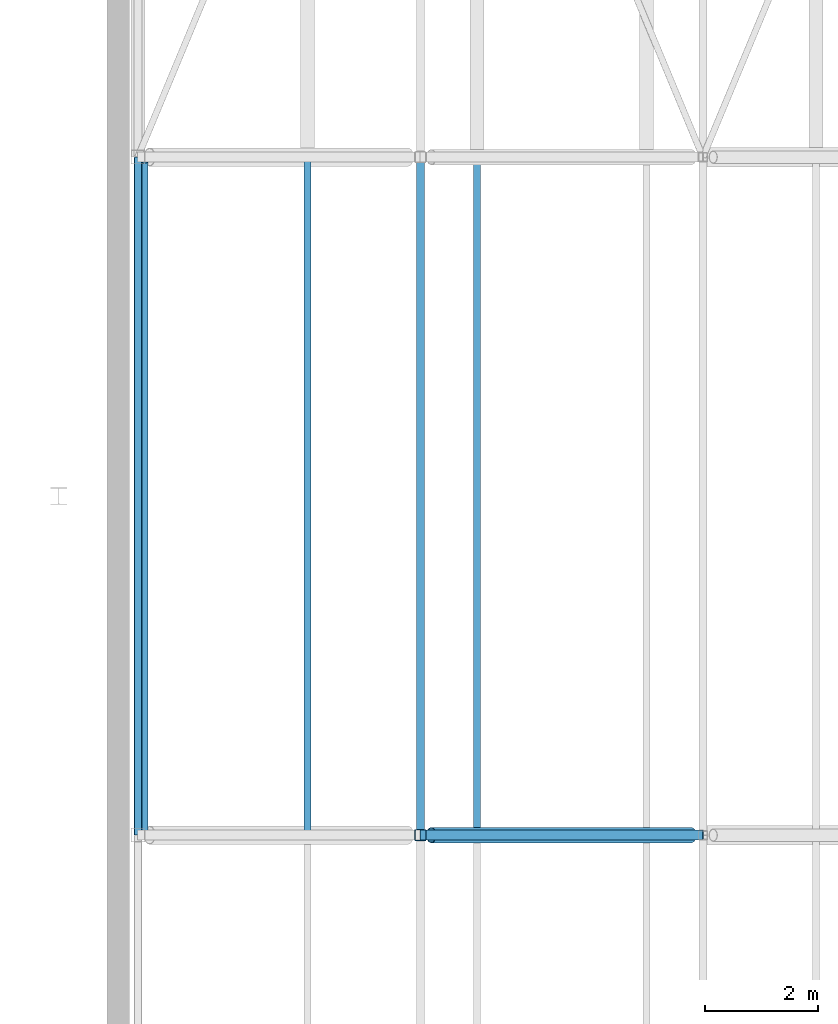
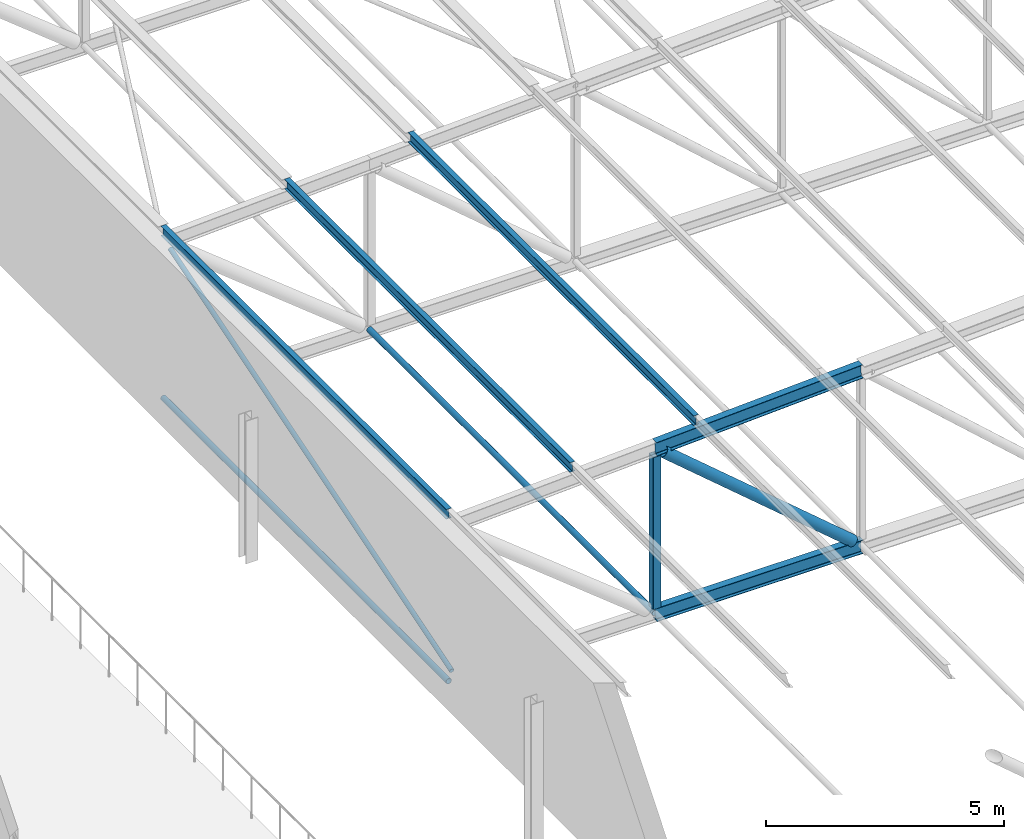
# One storey, part 25 of 156: 10 members.
"""IFC4 building model written with IfcOpenShell, lengths in metres."""

from ifc_helpers import new_model, si_unit, direction, frame, origin, origin_2d, place, context, subcontext, project, spatial, hollow_rectangle, hollow_circle, i_section, extrude, material, material_profile, profile_set, type_object, element, save


model = new_model("IFC4")

# Units and contexts
model_context = context("Model", 3, precision=1e-05, world=origin(), true_north=direction((0.0, 1.0)))
body_context = subcontext(model_context, "Body", "Model", "MODEL_VIEW")
ifc_project = project(units=[si_unit("LENGTHUNIT", "METRE"), si_unit("AREAUNIT", "SQUARE_METRE"), si_unit("VOLUMEUNIT", "CUBIC_METRE"), si_unit("PLANEANGLEUNIT", "RADIAN"), si_unit("MASSUNIT", "GRAM", prefix="KILO")], contexts=[model_context])

# Site, building, storey
site_placement = place(None, origin())
site = spatial("IfcSite", under=ifc_project, at=site_placement, CompositionType="ELEMENT")
building_placement = place(site_placement, origin())
building = spatial("IfcBuilding", under=site, at=building_placement, Name="Lilac Gate Convention Centre", CompositionType="ELEMENT")
storey_placement = place(building_placement, frame((0.0, 0.0, 17.0)))
storey = spatial("IfcBuildingStorey", under=building, at=storey_placement, Name="L03", CompositionType="ELEMENT", Elevation=17.0)

# Members
ifc_material = material(Name="Steel Q355B", Category="steel")
ifc_material_profile_1 = material_profile(ifc_material, hollow_circle(Radius=0.06982421875, WallThickness=0.0048828125, at=origin_2d()), Name="CHS139.7x5")
ifc_profile_set_1 = profile_set([ifc_material_profile_1], Name="Steel Q355B")
member_type_1 = type_object("IfcMemberType", Name="Bottom chord tie CHS139.7x5", PredefinedType="STRUT", material=ifc_profile_set_1)
for number, where, z_axis, x_axis, name in (
    (1, (30.0, 66.00341796875, 0.0), (0.0, 1.0, 0.0), (-1.0, 0.0, 0.0), "ST1 tie bay 4 node 1"),
    (2, (35.0, 66.00341796875, 0.0), (0.0, 1.0, 0.0), (-1.0, 0.0, 0.0), "ST1 tie bay 4 node 2"),
):
    element("IfcMember", number, at=place(storey_placement, frame(where, z_axis=z_axis, x_axis=x_axis)), inside=storey, type_object=member_type_1, Name=name, PredefinedType="STRUT", context=body_context, shape_type="SweptSolid", body=[
        extrude(hollow_circle(Radius=0.06982421875, WallThickness=0.0048828125, at=origin_2d()), origin(), (0.0, 0.0, 1.0), 11.9931640625),
    ])
ifc_material_profile_2 = material_profile(ifc_material, i_section(OverallWidth=0.125, OverallDepth=0.25, WebThickness=0.006103515625, FlangeThickness=0.009033203125, FilletRadius=0.008056640625, at=origin_2d()), Name="HN250x125x6x9")
ifc_profile_set_2 = profile_set([ifc_material_profile_2], Name="Steel Q355B")
member_type_2 = type_object("IfcMemberType", Name="Roof purlin HN250x125x6x9", PredefinedType="PURLIN", material=ifc_profile_set_2)
for number, where, z_axis, x_axis, name in (
    (3, (30.0, 66.0, 4.30029296875), (0.0, 1.0, 0.0), (-1.0, 0.0, 0.0), "PU2 purlin bay 4 line 1"),
    (4, (33.0, 66.0, 4.4501953125), (0.0, 1.0, 0.0), (-1.0, 0.0, 0.0), "PU2 purlin bay 4 line 2"),
    (5, (36.0, 66.0, 4.60009765625), (0.0, 1.0, 0.0), (-1.0, 0.0, 0.0), "PU2 purlin bay 4 line 3"),
):
    element("IfcMember", number, at=place(storey_placement, frame(where, z_axis=z_axis, x_axis=x_axis)), inside=storey, type_object=member_type_2, Name=name, PredefinedType="PURLIN", context=body_context, shape_type="SweptSolid", body=[
        extrude(i_section(OverallWidth=0.125, OverallDepth=0.25, WebThickness=0.006103515625, FlangeThickness=0.009033203125, FilletRadius=0.008056640625, at=origin_2d()), origin(), (0.0, 0.0, 1.0), 12.0),
    ])
ifc_material_profile_3 = material_profile(ifc_material, i_section(OverallWidth=0.175048828125, OverallDepth=0.35009765625, WebThickness=0.007080078125, FlangeThickness=0.010986328125, FilletRadius=0.012939453125, at=origin_2d()), Name="HN350x175x7x11")
ifc_profile_set_3 = profile_set([ifc_material_profile_3], Name="Steel Q355B")
member_type_3 = type_object("IfcMemberType", Name="Truss bottom chord HN350x175x7x11", PredefinedType="CHORD", material=ifc_profile_set_3)
member_1_placement = place(storey_placement, frame((35.0, 66.0, 0.0), z_axis=(1.0, 0.0, 0.0), x_axis=(0.0, 1.0, 0.0)))
element("IfcMember", 6, at=member_1_placement, inside=storey, type_object=member_type_3, Name="TB1 truss 4 bottom chord 2", PredefinedType="CHORD", context=body_context, shape_type="SweptSolid", body=[
    extrude(i_section(OverallWidth=0.175048828125, OverallDepth=0.35009765625, WebThickness=0.007080078125, FlangeThickness=0.010986328125, FilletRadius=0.012939453125, at=origin_2d()), origin(), (0.0, 0.0, 1.0), 5.0),
])
ifc_material_profile_4 = material_profile(ifc_material, hollow_circle(Radius=0.136474609375, WallThickness=0.010009765625, at=origin_2d()), Name="CHS273x10")
ifc_profile_set_4 = profile_set([ifc_material_profile_4], Name="Steel Q355B")
member_type_4 = type_object("IfcMemberType", Name="Truss diagonal CHS273x10", PredefinedType="BRACE", material=ifc_profile_set_4)
member_2_placement = place(storey_placement, frame((35.193115234375, 66.0, 4.085693359375), z_axis=(0.761961263863, 0.0, -0.647622600263), x_axis=(0.0, 1.0, 0.0)))
element("IfcMember", 7, at=member_2_placement, inside=storey, type_object=member_type_4, Name="TW2 truss 4 diagonal 2", PredefinedType="BRACE", context=body_context, shape_type="SweptSolid", body=[
    extrude(hollow_circle(Radius=0.136474609375, WallThickness=0.010009765625, at=origin_2d()), origin(), (0.0, 0.0, 1.0), 6.03857421875),
])
ifc_material_profile_5 = material_profile(ifc_material, i_section(OverallWidth=0.175048828125, OverallDepth=0.35009765625, WebThickness=0.007080078125, FlangeThickness=0.010986328125, FilletRadius=0.012939453125, at=origin_2d()), Name="HN350x175x7x11")
ifc_profile_set_5 = profile_set([ifc_material_profile_5], Name="Steel Q355B")
member_type_5 = type_object("IfcMemberType", Name="Truss top chord HN350x175x7x11", PredefinedType="CHORD", material=ifc_profile_set_5)
member_3_placement = place(storey_placement, frame((35.0, 66.0, 4.25), z_axis=(0.998752338878, 0.0, 0.049937616944), x_axis=(0.0, 1.0, 0.0)))
element("IfcMember", 8, at=member_3_placement, inside=storey, type_object=member_type_5, Name="TT1 truss 4 top chord 2", PredefinedType="CHORD", context=body_context, shape_type="SweptSolid", body=[
    extrude(i_section(OverallWidth=0.175048828125, OverallDepth=0.35009765625, WebThickness=0.007080078125, FlangeThickness=0.010986328125, FilletRadius=0.012939453125, at=origin_2d()), origin(), (0.0, 0.0, 1.0), 5.00634765625),
])
ifc_material_profile_6 = material_profile(ifc_material, hollow_rectangle(XDim=0.199951171875, YDim=0.199951171875, WallThickness=0.008056640625, InnerFilletRadius=0.011962890625, OuterFilletRadius=0.02001953125, at=origin_2d()), Name="SHS200x200x8")
ifc_profile_set_6 = profile_set([ifc_material_profile_6], Name="Steel Q355B")
member_type_6 = type_object("IfcMemberType", Name="Truss vertical SHS200x200x8", PredefinedType="STRUT", material=ifc_profile_set_6)
member_4_placement = place(storey_placement, frame((35.0, 66.0, 0.175048828125), z_axis=(0.0, 0.0, 1.0), x_axis=(1.0, 0.0, 0.0)))
element("IfcMember", 9, at=member_4_placement, inside=storey, type_object=member_type_6, Name="TV2 truss 4 vertical 2", PredefinedType="STRUT", context=body_context, shape_type="SweptSolid", body=[
    extrude(hollow_rectangle(XDim=0.199951171875, YDim=0.199951171875, WallThickness=0.008056640625, InnerFilletRadius=0.011962890625, OuterFilletRadius=0.02001953125, at=origin_2d()), origin(), (0.0, 0.0, 1.0), 3.899658203125),
])
ifc_material_profile_7 = material_profile(ifc_material, hollow_circle(Radius=0.05712890625, WallThickness=0.006103515625, at=origin_2d()), Name="CHS114.3x6")
ifc_profile_set_7 = profile_set([ifc_material_profile_7], Name="Steel Q355B")
member_type_7 = type_object("IfcMemberType", Name="Vertical bracing CHS114.3x6", PredefinedType="BRACE", material=ifc_profile_set_7)
member_5_placement = place(storey_placement, frame((30.1201171875, 66.08740234375, 0.175048828125), z_axis=(0.0, 0.955386652678, 0.295357992757), x_axis=(-1.0, 0.0, 0.0)))
element("IfcMember", 10, at=member_5_placement, inside=storey, type_object=member_type_7, Name="BR2 vertical bracing bay 4 line 1", PredefinedType="BRACE", context=body_context, shape_type="SweptSolid", body=[
    extrude(hollow_circle(Radius=0.05712890625, WallThickness=0.006103515625, at=origin_2d()), origin(), (0.0, 0.0, 1.0), 12.37744140625),
])

save(model, "model.ifc")
